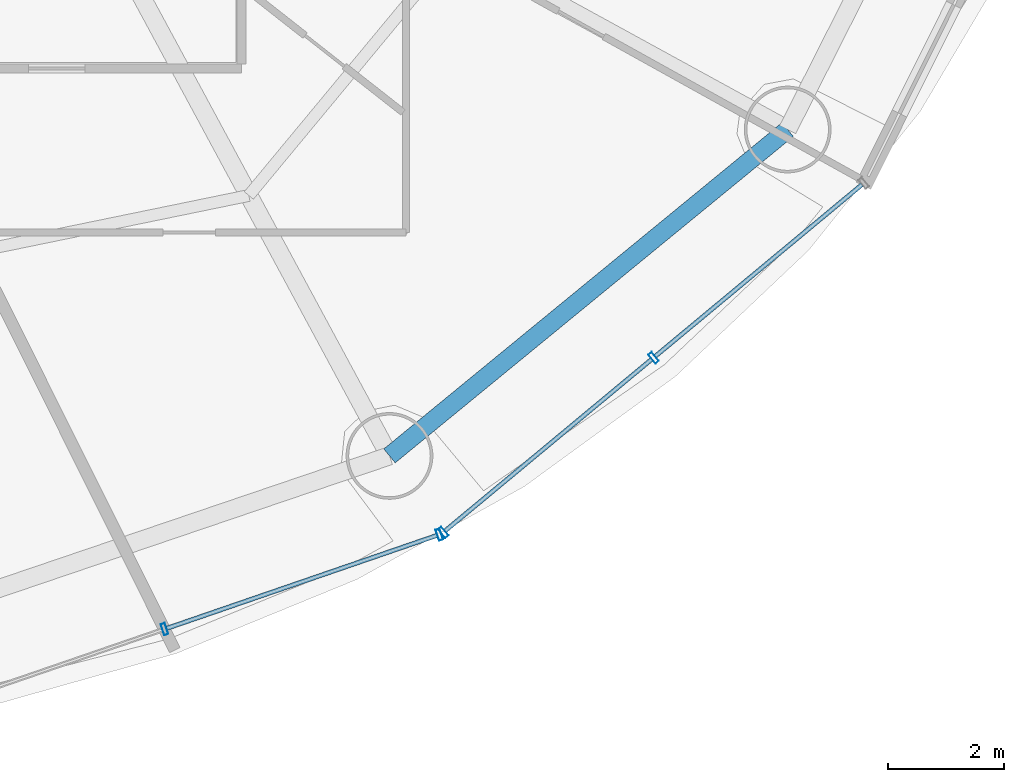
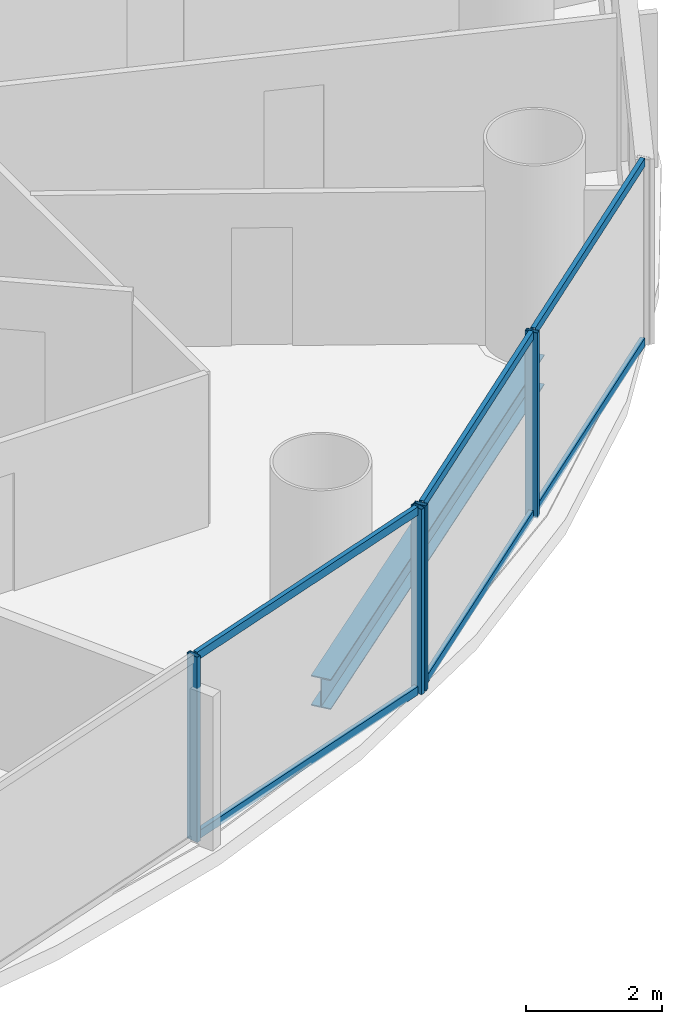
# One storey, part 10 of 28: 10 members, 1 beam, 2 elements without a shape of their own.
"""IFC4 building model written with IfcOpenShell, lengths in metres."""

from ifc_helpers import new_model, si_unit, direction, frame, origin, origin_2d, place, context, subcontext, project, spatial, hollow_rectangle, i_section, extrude, source, transform, mapped, material, material_profile, profile_set, type_object, element, aggregate, save


model = new_model("IFC4")

# Units and contexts
model_context = context("Model", 3, precision=1e-05, world=origin(), true_north=direction((-0.2419218956, 0.970295726276)))
body_context = subcontext(model_context, "Body", "Model", "MODEL_VIEW")
ifc_project = project(units=[si_unit("LENGTHUNIT", "METRE"), si_unit("AREAUNIT", "SQUARE_METRE"), si_unit("VOLUMEUNIT", "CUBIC_METRE"), si_unit("PLANEANGLEUNIT", "RADIAN"), si_unit("MASSUNIT", "GRAM", prefix="KILO")], contexts=[model_context])

# Site, building, storey
site_placement = place(None, origin())
site = spatial("IfcSite", under=ifc_project, at=site_placement, CompositionType="ELEMENT")
building_placement = place(site_placement, origin())
building = spatial("IfcBuilding", under=site, at=building_placement, Name="Cobrevalo Terracotta Tower", CompositionType="ELEMENT")
storey_placement = place(building_placement, frame((0.0, 0.0, 101.39990234375)))
storey = spatial("IfcBuildingStorey", under=building, at=storey_placement, Name="L26", CompositionType="ELEMENT", Elevation=101.39990234375)

# Beam
ifc_material_1 = material(Name="Steel S355", Category="steel")
ifc_material_profile_1 = material_profile(ifc_material_1, i_section(OverallWidth=0.31201171875, OverallDepth=0.54296875, WebThickness=0.0126953125, FlangeThickness=0.020263671875, at=origin_2d()), Name="W 530x150")
ifc_profile_set_1 = profile_set([ifc_material_profile_1], Name="Steel S355")
beam_type = type_object("IfcBeamType", Name="Structural Spandrel W 530x150 (Steel S355)", PredefinedType="SPANDREL", material=ifc_profile_set_1)
beam_placement = place(storey_placement, frame((51.861572265625, 9.79638671875, -0.54638671875), z_axis=(0.773400923541, 0.633917196064, 0.0), x_axis=(-0.633917196064, 0.773400923541, 0.0)))
element("IfcBeam", 1, at=beam_placement, inside=storey, type_object=beam_type, Name="L26 perimeter ring spandrel 14", PredefinedType="SPANDREL", context=body_context, shape_type="SweptSolid", body=[
    extrude(i_section(OverallWidth=0.31201171875, OverallDepth=0.54296875, WebThickness=0.0126953125, FlangeThickness=0.020263671875, at=origin_2d()), origin(), (0.0, 0.0, 1.0), 8.900390625),
])

# Curtain wall, members
ifc_material_2 = material(Name="Anodized aluminium", Category="aluminium")
curtain_wall_type = type_object("IfcCurtainWallType", Name="Lower-tower unitised acoustic low-E curtain wall CW-U1", PredefinedType="NOTDEFINED", material=ifc_material_2)
curtain_wall_1_placement = place(storey_placement, origin())
curtain_wall_1 = element("IfcCurtainWall", 2, at=curtain_wall_1_placement, inside=storey, type_object=curtain_wall_type, Name="L26 curtain wall CW-L26-S13", PredefinedType="NOTDEFINED")
ifc_material_profile_2 = material_profile(ifc_material_2, hollow_rectangle(XDim=0.074951171875, YDim=0.14990234375, WallThickness=0.00439453125, at=origin_2d()), Name="CWT 75x150")
ifc_profile_set_2 = profile_set([ifc_material_profile_2], Name="Anodized aluminium")
member_type_1 = type_object("IfcMemberType", Name="Tower unitised aluminium transom 75x150", PredefinedType="USERDEFINED", material=ifc_profile_set_2)
shared_shape_1 = source(origin(), body_context, "Body", "SweptSolid", [
    extrude(hollow_rectangle(XDim=0.074951171875, YDim=0.14990234375, WallThickness=0.00439453125, at=origin_2d()), origin(), (0.0, 0.0, 1.0), 4.944580078125),
])
member_1_placement = place(storey_placement, frame((48.01025390625, 6.814697265625, 0.050048828125), z_axis=(0.945597859971, 0.32533780478, 0.0), x_axis=(-0.32533780478, 0.945597859971, 0.0)))
member_1 = element("IfcMember", 3, at=member_1_placement, type_object=member_type_1, Name="CW-L26-S13 transom B02-T1", ObjectType="TRANSOM", PredefinedType="USERDEFINED", context=body_context, shape_type="MappedRepresentation", body=[
    mapped(shared_shape_1, transform((0.0, 0.0, 0.0), scale=1.0)),
])
member_2_placement = place(storey_placement, frame((48.01025390625, 6.814697265625, 3.275146484375), z_axis=(0.945597859971, 0.32533780478, 0.0), x_axis=(-0.32533780478, 0.945597859971, 0.0)))
member_2 = element("IfcMember", 4, at=member_2_placement, type_object=member_type_1, Name="CW-L26-S13 transom B02-T2", ObjectType="TRANSOM", PredefinedType="USERDEFINED", context=body_context, shape_type="MappedRepresentation", body=[
    mapped(shared_shape_1, transform((0.0, 0.0, 0.0), scale=1.0)),
])

curtain_wall_2_placement = place(storey_placement, origin())
curtain_wall_2 = element("IfcCurtainWall", 5, at=curtain_wall_2_placement, inside=storey, type_object=curtain_wall_type, Name="L26 curtain wall CW-L26-S14", PredefinedType="NOTDEFINED")
shared_shape_2 = source(origin(), body_context, "Body", "SweptSolid", [
    extrude(hollow_rectangle(XDim=0.074951171875, YDim=0.14990234375, WallThickness=0.00439453125, at=origin_2d()), origin(), (0.0, 0.0, 1.0), 4.64501953125),
])
member_3_placement = place(storey_placement, frame((52.822998046875, 8.50048828125, 0.050048828125), z_axis=(0.769224156193, 0.638979027457, 0.0), x_axis=(-0.638979027457, 0.769224156193, 0.0)))
member_3 = element("IfcMember", 6, at=member_3_placement, type_object=member_type_1, Name="CW-L26-S14 transom B01-T1", ObjectType="TRANSOM", PredefinedType="USERDEFINED", context=body_context, shape_type="MappedRepresentation", body=[
    mapped(shared_shape_2, transform((0.0, 0.0, 0.0), scale=1.0)),
])
member_4_placement = place(storey_placement, frame((52.822998046875, 8.50048828125, 3.275146484375), z_axis=(0.769224156193, 0.638979027457, 0.0), x_axis=(-0.638979027457, 0.769224156193, 0.0)))
member_4 = element("IfcMember", 7, at=member_4_placement, type_object=member_type_1, Name="CW-L26-S14 transom B01-T2", ObjectType="TRANSOM", PredefinedType="USERDEFINED", context=body_context, shape_type="MappedRepresentation", body=[
    mapped(shared_shape_2, transform((0.0, 0.0, 0.0), scale=1.0)),
])
member_5_placement = place(storey_placement, frame((56.45751953125, 11.51953125, 0.050048828125), z_axis=(0.769224156193, 0.638979027457, 0.0), x_axis=(-0.638979027457, 0.769224156193, 0.0)))
member_5 = element("IfcMember", 8, at=member_5_placement, type_object=member_type_1, Name="CW-L26-S14 transom B02-T1", ObjectType="TRANSOM", PredefinedType="USERDEFINED", context=body_context, shape_type="MappedRepresentation", body=[
    mapped(shared_shape_2, transform((0.0, 0.0, 0.0), scale=1.0)),
])
member_6_placement = place(storey_placement, frame((56.45751953125, 11.51953125, 3.275146484375), z_axis=(0.769224156193, 0.638979027457, 0.0), x_axis=(-0.638979027457, 0.769224156193, 0.0)))
member_6 = element("IfcMember", 9, at=member_6_placement, type_object=member_type_1, Name="CW-L26-S14 transom B02-T2", ObjectType="TRANSOM", PredefinedType="USERDEFINED", context=body_context, shape_type="MappedRepresentation", body=[
    mapped(shared_shape_2, transform((0.0, 0.0, 0.0), scale=1.0)),
])

# Member
ifc_material_profile_3 = material_profile(ifc_material_2, hollow_rectangle(XDim=0.074951171875, YDim=0.199951171875, WallThickness=0.0048828125, at=origin_2d()), Name="CWM 75x200")
ifc_profile_set_3 = profile_set([ifc_material_profile_3], Name="Anodized aluminium")
member_type_2 = type_object("IfcMemberType", Name="Lower/mid tower unitised mullion 75x200", PredefinedType="MULLION", material=ifc_profile_set_3)
shared_shape_3 = source(origin(), body_context, "Body", "SweptSolid", [
    extrude(hollow_rectangle(XDim=0.074951171875, YDim=0.199951171875, WallThickness=0.0048828125, at=origin_2d()), origin(), (0.0, 0.0, 1.0), 3.3251953125),
])
member_7_placement = place(storey_placement, frame((47.972412109375, 6.8017578125, 0.0), z_axis=(0.0, 0.0, 1.0), x_axis=(0.94559809868, 0.325337110968, 0.0)))
member_7 = element("IfcMember", 10, at=member_7_placement, type_object=member_type_2, Name="CW-L26-S13 vertical mullion 02", PredefinedType="MULLION", context=body_context, shape_type="MappedRepresentation", body=[
    mapped(shared_shape_3, transform((0.0, 0.0, 0.0), scale=1.0)),
])

member_8_placement = place(storey_placement, frame((52.7236328125, 8.4365234375, 0.0), z_axis=(0.0, 0.0, 1.0), x_axis=(0.94559809868, 0.325337110968, 0.0)))
member_8 = element("IfcMember", 11, at=member_8_placement, type_object=member_type_2, Name="CW-L26-S13 vertical mullion 03", PredefinedType="MULLION", context=body_context, shape_type="MappedRepresentation", body=[
    mapped(shared_shape_3, transform((0.0, 0.0, 0.0), scale=1.0)),
])

aggregate(curtain_wall_1, [member_7, member_8, member_1, member_2])

member_9_placement = place(storey_placement, frame((52.792236328125, 8.47509765625, 0.0), z_axis=(0.0, 0.0, 1.0), x_axis=(0.769243451658, 0.638955798222, 0.0)))
member_9 = element("IfcMember", 12, at=member_9_placement, type_object=member_type_2, Name="CW-L26-S14 vertical mullion 01", PredefinedType="MULLION", context=body_context, shape_type="MappedRepresentation", body=[
    mapped(shared_shape_3, transform((0.0, 0.0, 0.0), scale=1.0)),
])

member_10_placement = place(storey_placement, frame((56.4267578125, 11.493896484375, 0.0), z_axis=(0.0, 0.0, 1.0), x_axis=(0.769243451658, 0.638955798222, 0.0)))
member_10 = element("IfcMember", 13, at=member_10_placement, type_object=member_type_2, Name="CW-L26-S14 vertical mullion 02", PredefinedType="MULLION", context=body_context, shape_type="MappedRepresentation", body=[
    mapped(shared_shape_3, transform((0.0, 0.0, 0.0), scale=1.0)),
])

aggregate(curtain_wall_2, [member_9, member_10, member_3, member_4, member_5, member_6])

save(model, "model.ifc")
